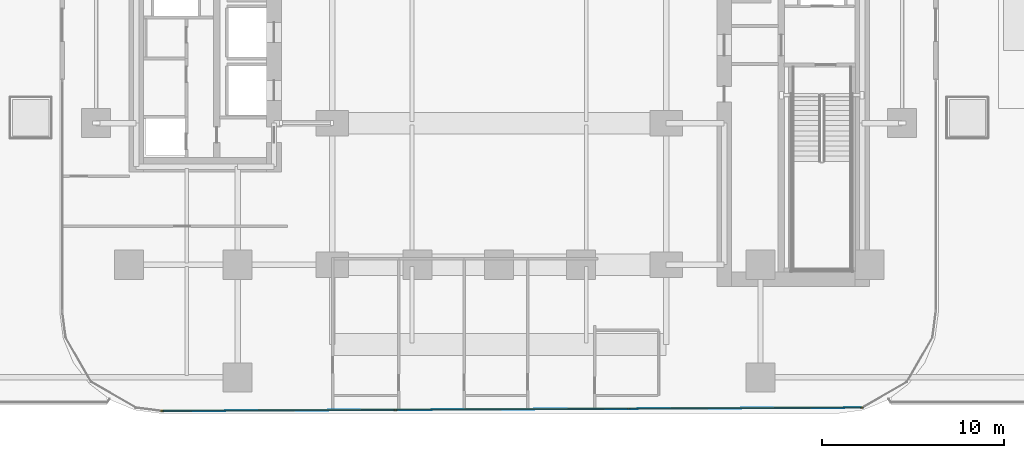
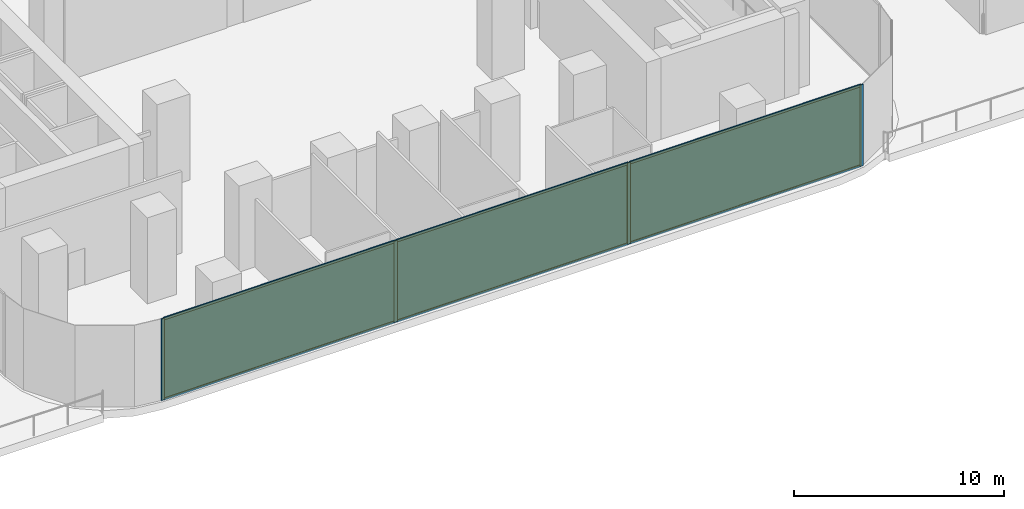
# One storey, part 11 of 21: 10 members, 3 plates, 1 curtain wall.
"""IFC4 building model written with IfcOpenShell, lengths in metres."""

from ifc_helpers import new_model, si_unit, direction, frame, frame_2d, origin, origin_2d, place, context, subcontext, project, spatial, rectangle, extrude, material, layer, layer_set, material_profile, profile_set, type_object, element, aggregate, save


model = new_model("IFC4")

# Units and contexts
model_context = context("Model", 3, precision=1e-05, world=origin(), true_north=direction((0.0, 1.0)))
body_context = subcontext(model_context, "Body", "Model", "MODEL_VIEW")
ifc_project = project(units=[si_unit("LENGTHUNIT", "METRE"), si_unit("AREAUNIT", "SQUARE_METRE"), si_unit("VOLUMEUNIT", "CUBIC_METRE"), si_unit("PLANEANGLEUNIT", "RADIAN"), si_unit("MASSUNIT", "GRAM", prefix="KILO")], contexts=[model_context])

# Member
ifc_material_1 = material(Name="Anodised Bronze Aluminium 6063-T6", Category="aluminium")
ifc_material_profile_1 = material_profile(ifc_material_1, rectangle(XDim=0.06494140625, YDim=0.179931640625, at=origin_2d()))
ifc_profile_set_1 = profile_set([ifc_material_profile_1], Name="Anodised Bronze Aluminium 6063-T6")
member_type_1 = type_object("IfcMemberType", Name="CW-Z1 Mullion 65x180", PredefinedType="MULLION", material=ifc_profile_set_1)
site_placement = place(None, origin())
building_placement = place(site_placement, origin())
storey_placement = place(building_placement, frame((0.0, 0.0, 21.0)))
member_1_placement = place(storey_placement, frame((19.98046875, -26.472900390625, 0.0), z_axis=(0.0, 0.0, 1.0), x_axis=(0.004849219095, -0.999988242468, 0.0)))
member_1 = element("IfcMember", 1, at=member_1_placement, type_object=member_type_1, Name="CW-Z1 mullion 1", PredefinedType="MULLION", context=body_context, shape_type="SweptSolid", body=[
    extrude(rectangle(XDim=0.06494140625, YDim=0.179931640625, at=origin_2d()), origin(), (0.0, 0.0, 1.0), 4.739990234375),
])

member_2_placement = place(storey_placement, frame((7.14501953125, -26.53515625, 0.0), z_axis=(0.0, 0.0, 1.0), x_axis=(0.004849219095, -0.999988242468, 0.0)))
member_2 = element("IfcMember", 2, at=member_2_placement, type_object=member_type_1, Name="CW-Z1 mullion 2", PredefinedType="MULLION", context=body_context, shape_type="SweptSolid", body=[
    extrude(rectangle(XDim=0.06494140625, YDim=0.179931640625, at=origin_2d()), origin(), (0.0, 0.0, 1.0), 4.739990234375),
])

member_3_placement = place(storey_placement, frame((-5.722900390625, -26.59765625, 0.0), z_axis=(0.0, 0.0, 1.0), x_axis=(0.004849219095, -0.999988242468, 0.0)))
member_3 = element("IfcMember", 3, at=member_3_placement, type_object=member_type_1, Name="CW-Z1 mullion 3", PredefinedType="MULLION", context=body_context, shape_type="SweptSolid", body=[
    extrude(rectangle(XDim=0.06494140625, YDim=0.179931640625, at=origin_2d()), origin(), (0.0, 0.0, 1.0), 4.739990234375),
])

member_4_placement = place(storey_placement, frame((-18.558349609375, -26.659912109375, 0.0), z_axis=(0.0, 0.0, 1.0), x_axis=(0.004849219095, -0.999988242468, 0.0)))
member_4 = element("IfcMember", 4, at=member_4_placement, type_object=member_type_1, Name="CW-Z1 mullion 4", PredefinedType="MULLION", context=body_context, shape_type="SweptSolid", body=[
    extrude(rectangle(XDim=0.06494140625, YDim=0.179931640625, at=origin_2d()), origin(), (0.0, 0.0, 1.0), 4.739990234375),
])

ifc_material_2 = material(Name="Anodised Bronze Aluminium 6063-T6", Category="aluminium")
ifc_material_profile_2 = material_profile(ifc_material_2, rectangle(XDim=0.06494140625, YDim=0.139892578125, at=origin_2d()))
ifc_profile_set_2 = profile_set([ifc_material_profile_2], Name="Anodised Bronze Aluminium 6063-T6")
member_type_2 = type_object("IfcMemberType", Name="CW-Z1 Transom 65x140", PredefinedType="USERDEFINED", material=ifc_profile_set_2)
member_5_placement = place(storey_placement, frame((19.947998046875, -26.47314453125, 0.032470703125), z_axis=(-0.99998821055, -0.004855796541, 0.0), x_axis=(0.004855796541, -0.99998821055, 0.0)))
member_5 = element("IfcMember", 5, at=member_5_placement, type_object=member_type_2, Name="CW-Z1 transom 1.1", ObjectType="TRANSOM", PredefinedType="USERDEFINED", context=body_context, shape_type="SweptSolid", body=[
    extrude(rectangle(XDim=0.06494140625, YDim=0.139892578125, at=origin_2d()), origin(), (0.0, 0.0, 1.0), 12.770751953125),
])

member_6_placement = place(storey_placement, frame((19.947998046875, -26.47314453125, 4.70751953125), z_axis=(-0.99998821055, -0.004855796541, 0.0), x_axis=(0.004855796541, -0.99998821055, 0.0)))
member_6 = element("IfcMember", 6, at=member_6_placement, type_object=member_type_2, Name="CW-Z1 transom 1.2", ObjectType="TRANSOM", PredefinedType="USERDEFINED", context=body_context, shape_type="SweptSolid", body=[
    extrude(rectangle(XDim=0.06494140625, YDim=0.139892578125, at=origin_2d()), origin(), (0.0, 0.0, 1.0), 12.770751953125),
])

member_7_placement = place(storey_placement, frame((7.112548828125, -26.535400390625, 0.032470703125), z_axis=(-0.999988270274, -0.004843481639, 0.0), x_axis=(0.004843481639, -0.999988270274, 0.0)))
member_7 = element("IfcMember", 7, at=member_7_placement, type_object=member_type_2, Name="CW-Z1 transom 2.1", ObjectType="TRANSOM", PredefinedType="USERDEFINED", context=body_context, shape_type="SweptSolid", body=[
    extrude(rectangle(XDim=0.06494140625, YDim=0.139892578125, at=origin_2d()), origin(), (0.0, 0.0, 1.0), 12.80322265625),
])

member_8_placement = place(storey_placement, frame((7.112548828125, -26.535400390625, 4.70751953125), z_axis=(-0.999988270274, -0.004843481639, 0.0), x_axis=(0.004843481639, -0.999988270274, 0.0)))
member_8 = element("IfcMember", 8, at=member_8_placement, type_object=member_type_2, Name="CW-Z1 transom 2.2", ObjectType="TRANSOM", PredefinedType="USERDEFINED", context=body_context, shape_type="SweptSolid", body=[
    extrude(rectangle(XDim=0.06494140625, YDim=0.139892578125, at=origin_2d()), origin(), (0.0, 0.0, 1.0), 12.80322265625),
])

member_9_placement = place(storey_placement, frame((-5.75537109375, -26.59765625, 0.032470703125), z_axis=(-0.99998821055, -0.004855796541, 0.0), x_axis=(0.004855796541, -0.99998821055, 0.0)))
member_9 = element("IfcMember", 9, at=member_9_placement, type_object=member_type_2, Name="CW-Z1 transom 3.1", ObjectType="TRANSOM", PredefinedType="USERDEFINED", context=body_context, shape_type="SweptSolid", body=[
    extrude(rectangle(XDim=0.06494140625, YDim=0.139892578125, at=origin_2d()), origin(), (0.0, 0.0, 1.0), 12.770751953125),
])

member_10_placement = place(storey_placement, frame((-5.75537109375, -26.59765625, 4.70751953125), z_axis=(-0.99998821055, -0.004855796541, 0.0), x_axis=(0.004855796541, -0.99998821055, 0.0)))
member_10 = element("IfcMember", 10, at=member_10_placement, type_object=member_type_2, Name="CW-Z1 transom 3.2", ObjectType="TRANSOM", PredefinedType="USERDEFINED", context=body_context, shape_type="SweptSolid", body=[
    extrude(rectangle(XDim=0.06494140625, YDim=0.139892578125, at=origin_2d()), origin(), (0.0, 0.0, 1.0), 12.770751953125),
])

# Plate
ifc_material_3 = material(Name="Low-E Solar Control Laminated Glass", Category="glass")
ifc_layer_1 = layer(ifc_material_3, 0.028076171875, Name="Low-E Solar Control Laminated Glass")
ifc_layer_set_1 = layer_set([ifc_layer_1], Name="Low-E Solar Control Laminated Glass")
plate_type = type_object("IfcPlateType", Name="CW-Z1 Low-E Double Glazed Panel 28mm", PredefinedType="CURTAIN_PANEL", material=ifc_layer_set_1)
plate_1_placement = place(storey_placement, frame((13.562744140625, -26.504150390625, 0.06494140625), z_axis=(0.0, 0.0, 1.0), x_axis=(-0.999988242468, -0.004849219095, 0.0)))
plate_1 = element("IfcPlate", 11, at=plate_1_placement, type_object=plate_type, Name="CW-Z1 panel 1.1", PredefinedType="CURTAIN_PANEL", context=body_context, shape_type="SweptSolid", body=[
    extrude(rectangle(XDim=12.7705078125, YDim=0.028076171875, at=origin_2d()), origin(), (0.0, 0.0, 1.0), 4.610107421875),
])

plate_2_placement = place(storey_placement, frame((0.7109375, -26.56640625, 0.06494140625), z_axis=(0.0, 0.0, 1.0), x_axis=(-0.999988242468, -0.004849219095, 0.0)))
plate_2 = element("IfcPlate", 12, at=plate_2_placement, type_object=plate_type, Name="CW-Z1 panel 2.1", PredefinedType="CURTAIN_PANEL", context=body_context, shape_type="SweptSolid", body=[
    extrude(rectangle(XDim=12.802978515625, YDim=0.028076171875, at=origin_2d()), origin(), (0.0, 0.0, 1.0), 4.610107421875),
])

plate_3_placement = place(storey_placement, frame((-12.140625, -26.628662109375, 0.06494140625), z_axis=(0.0, 0.0, 1.0), x_axis=(-0.999988242468, -0.004849219095, 0.0)))
plate_3 = element("IfcPlate", 13, at=plate_3_placement, type_object=plate_type, Name="CW-Z1 panel 3.1", PredefinedType="CURTAIN_PANEL", context=body_context, shape_type="SweptSolid", body=[
    extrude(rectangle(XDim=12.7705078125, YDim=0.028076171875, at=origin_2d()), origin(), (0.0, 0.0, 1.0), 4.610107421875),
])

# Site, building, storey
site = spatial("IfcSite", under=ifc_project, at=site_placement, CompositionType="ELEMENT")
building = spatial("IfcBuilding", under=site, at=building_placement, Name="Khairoan Windgate Tower", CompositionType="ELEMENT")
storey = spatial("IfcBuildingStorey", under=building, at=storey_placement, Name="L05", CompositionType="ELEMENT", Elevation=21.0)

# Curtain wall
ifc_material_4 = material(Name="Anodised Bronze Aluminium 6063-T6", Category="aluminium")
ifc_layer_2 = layer(ifc_material_4, 0.179931640625, Name="Anodised Bronze Aluminium 6063-T6")
ifc_layer_set_2 = layer_set([ifc_layer_2], Name="Anodised Bronze Aluminium 6063-T6")
curtain_wall_type = type_object("IfcCurtainWallType", Name="Low-Rise Office Unitised Curtain Wall CW-Z1", PredefinedType="NOTDEFINED", material=ifc_layer_set_2)
curtain_wall_placement = place(storey_placement, frame((20.012939453125, -26.472900390625, 0.0), z_axis=(0.0, 0.0, 1.0), x_axis=(-0.999988266143, -0.004844334477, 0.0)))
curtain_wall = element("IfcCurtainWall", 14, at=curtain_wall_placement, inside=storey, type_object=curtain_wall_type, Name="L05 Unitised Curtain Wall 1", PredefinedType="NOTDEFINED", context=body_context, shape_type="SweptSolid", body=[
    extrude(rectangle(XDim=38.604248046875, YDim=0.010009765625, at=frame_2d((19.30224609375, 0.0))), origin(), (0.0, 0.0, 1.0), 4.739990234375),
])

aggregate(curtain_wall, [member_1, member_2, member_3, member_4, member_5, member_6, plate_1, member_7, member_8, plate_2, member_9, member_10, plate_3])

save(model, "model.ifc")
